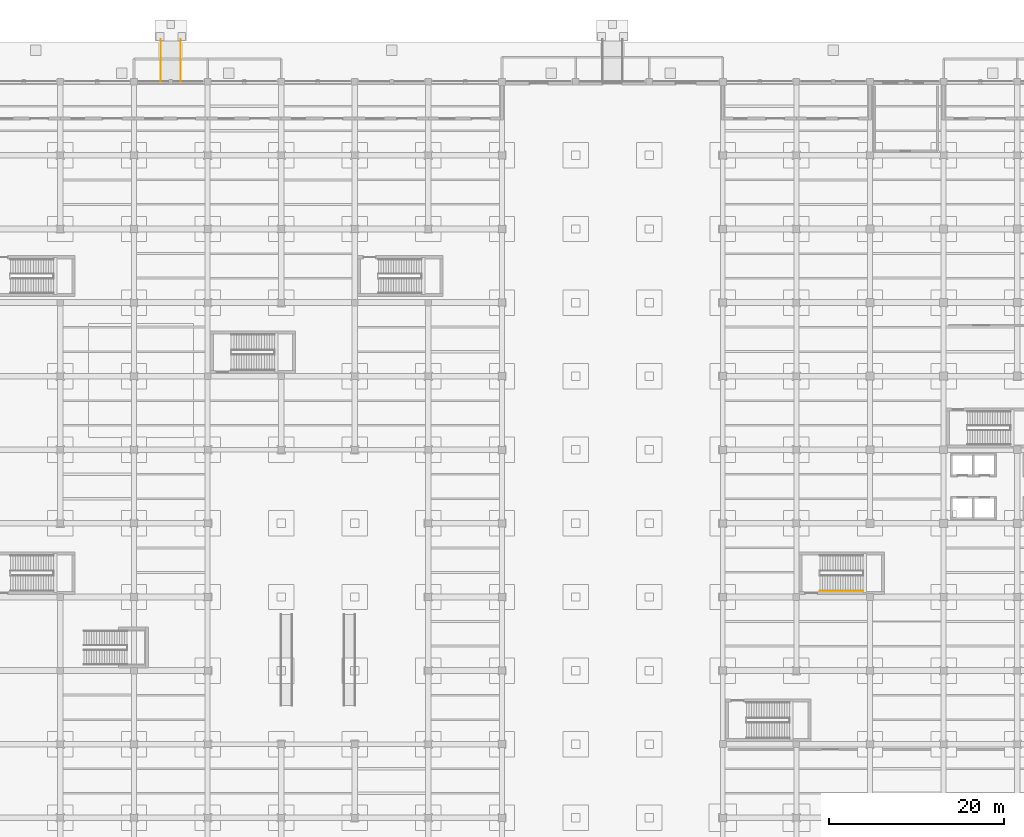
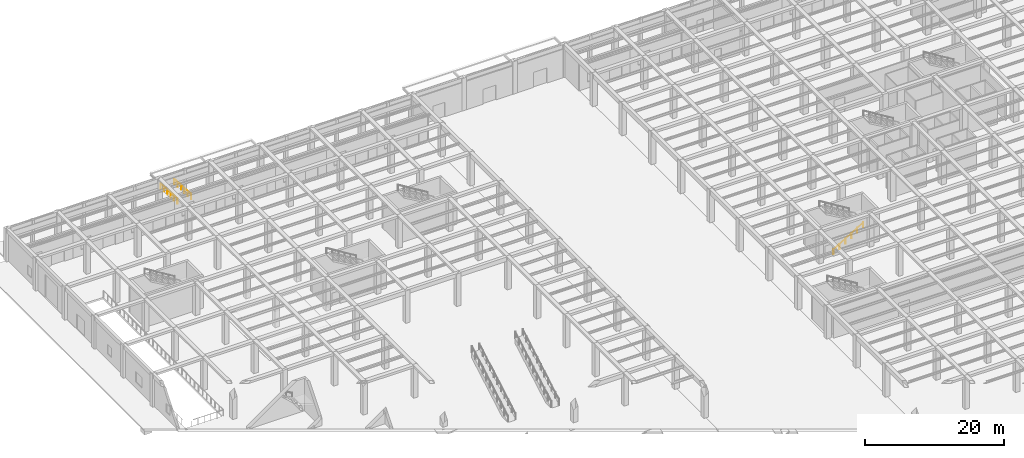
# One storey, part 38 of 43: 3 railings.
"""IFC4 building model written with IfcOpenShell, lengths in metres."""

from ifc_helpers import new_model, si_unit, direction, frame, origin, origin_2d, place, context, subcontext, project, spatial, circle, extrude, material, type_object, element, save


model = new_model("IFC4")

# Units and contexts
model_context = context("Model", 3, precision=1e-05, world=origin(), true_north=direction((0.0, 1.0)))
body_context = subcontext(model_context, "Body", "Model", "MODEL_VIEW")
ifc_project = project(units=[si_unit("LENGTHUNIT", "METRE"), si_unit("AREAUNIT", "SQUARE_METRE"), si_unit("VOLUMEUNIT", "CUBIC_METRE"), si_unit("PLANEANGLEUNIT", "RADIAN"), si_unit("MASSUNIT", "GRAM", prefix="KILO")], contexts=[model_context])

# Site, building, storey
site_placement = place(None, origin())
site = spatial("IfcSite", under=ifc_project, at=site_placement, CompositionType="ELEMENT")
building_placement = place(site_placement, origin())
building = spatial("IfcBuilding", under=site, at=building_placement, Name="Almacenes y Pasaje Nevantli", CompositionType="ELEMENT")
storey_placement = place(building_placement, origin())
storey = spatial("IfcBuildingStorey", under=building, at=storey_placement, Name="L01", CompositionType="ELEMENT", Elevation=0.0)

# Railings
ifc_material = material(Name="Brushed Stainless Steel Tube", Category="steel")
railing_type = type_object("IfcRailingType", Name="RL-HANDRAIL-900", PredefinedType="HANDRAIL", material=ifc_material)
railing_placement = place(storey_placement, frame((103.5, 59.510009765625, 0.0)))
element("IfcRailing", 1, at=railing_placement, inside=storey, type_object=railing_type, Name="L01 Stair ST-13 Lower Flight Handrail", PredefinedType="HANDRAIL", context=body_context, shape_type="SweptSolid", body=[
    extrude(circle(Radius=0.02392578125, at=origin_2d()), frame((0.025634765625, 0.0, 0.891357421875), z_axis=(0.854262269089, 0.0, 0.519842260316), x_axis=(0.0, 1.0, 0.0)), (0.0, 0.0, 1.0), 5.7109375),
    extrude(circle(Radius=0.02099609375, at=origin_2d()), origin(), (0.0, 0.0, 1.0), 0.846923828125),
    extrude(circle(Radius=0.02099609375, at=origin_2d()), frame((0.986083984375, 0.0, 0.60009765625)), (0.0, 0.0, 1.0), 0.846923828125),
    extrude(circle(Radius=0.02099609375, at=origin_2d()), frame((1.971923828125, 0.0, 1.199951171875)), (0.0, 0.0, 1.0), 0.846923828125),
    extrude(circle(Radius=0.02099609375, at=origin_2d()), frame((2.9580078125, 0.0, 1.800048828125)), (0.0, 0.0, 1.0), 0.846923828125),
    extrude(circle(Radius=0.02099609375, at=origin_2d()), frame((3.94384765625, 0.0, 2.39990234375)), (0.0, 0.0, 1.0), 0.846923828125),
    extrude(circle(Radius=0.02099609375, at=origin_2d()), frame((4.929931640625, 0.0, 3.0)), (0.0, 0.0, 1.0), 0.846923828125),
])
for number, where, name in (
    (2, (28.260009765625, 122.449951171875, -0.320068359375), "Accessible Entrance Ramp RP-03 West Handrail"),
    (3, (30.5400390625, 122.449951171875, -0.320068359375), "Accessible Entrance Ramp RP-03 East Handrail"),
):
    element("IfcRailing", number, at=place(storey_placement, frame(where)), inside=storey, type_object=railing_type, Name=name, PredefinedType="HANDRAIL", context=body_context, shape_type="SweptSolid", body=[
        extrude(circle(Radius=0.02392578125, at=origin_2d()), frame((0.0, -0.030029296875, 0.8779296875), z_axis=(0.0, -0.997784259546, 0.066532483814), x_axis=(1.0, 0.0, 0.0)), (0.0, 0.0, 1.0), 4.750732421875),
        extrude(circle(Radius=0.02099609375, at=origin_2d()), origin(), (0.0, 0.0, 1.0), 0.846923828125),
        extrude(circle(Radius=0.02099609375, at=origin_2d()), frame((0.0, -0.9599609375, 0.06396484375)), (0.0, 0.0, 1.0), 0.846923828125),
        extrude(circle(Radius=0.02099609375, at=origin_2d()), frame((0.0, -1.919921875, 0.1279296875)), (0.0, 0.0, 1.0), 0.846923828125),
        extrude(circle(Radius=0.02099609375, at=origin_2d()), frame((0.0, -2.880126953125, 0.192138671875)), (0.0, 0.0, 1.0), 0.846923828125),
        extrude(circle(Radius=0.02099609375, at=origin_2d()), frame((0.0, -3.840087890625, 0.256103515625)), (0.0, 0.0, 1.0), 0.846923828125),
        extrude(circle(Radius=0.02099609375, at=origin_2d()), frame((0.0, -4.800048828125, 0.320068359375)), (0.0, 0.0, 1.0), 0.846923828125),
    ])

save(model, "model.ifc")
